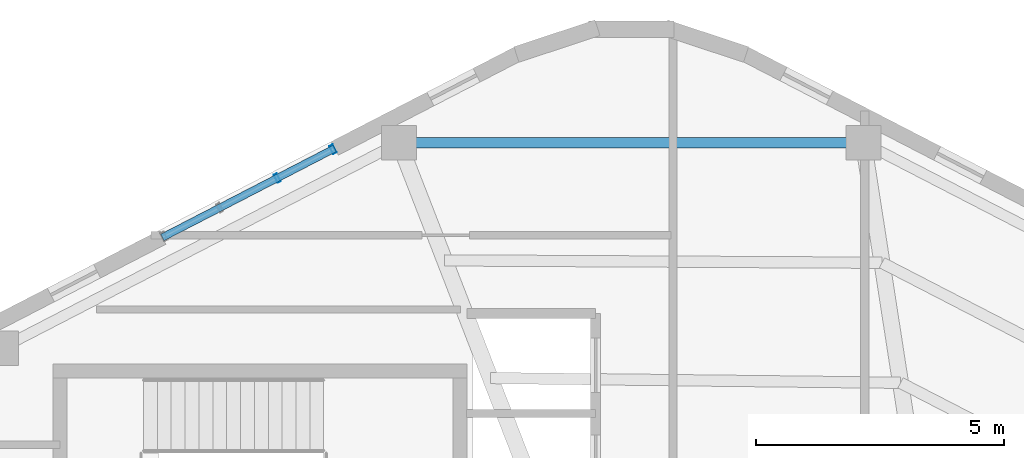
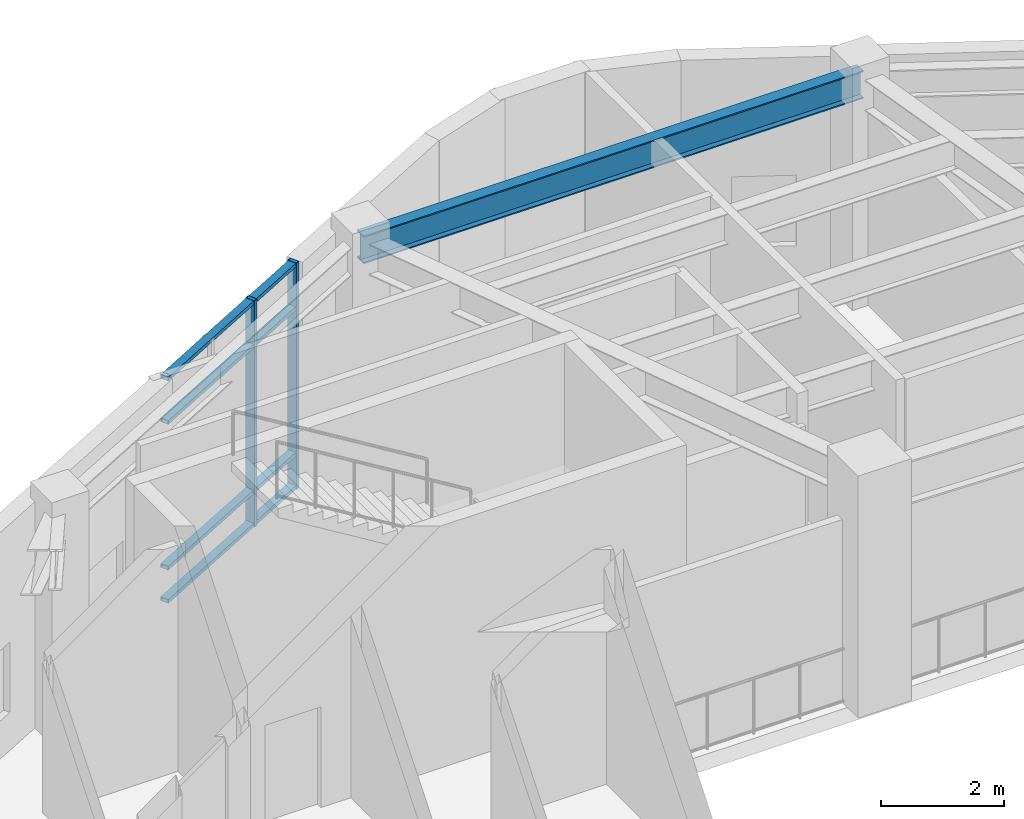
# One storey, part 12 of 18: 6 members, 1 beam, 1 element without a shape of its own.
"""IFC4 building model written with IfcOpenShell, lengths in metres."""

import ifcopenshell
import ifcopenshell.guid

model = None  # the IFC model being written
_history = None  # IfcOwnerHistory: only IFC2X3 demands one
_inside = {}  # id of a spatial element -> (the spatial element, [elements in it])
_under = {}  # id of a project, library or spatial element -> (it, [spatial elements below it])
_declared = {}  # id of a project -> (the project, [libraries it declares])
_typed = {}  # id of a type object -> (the type object, [elements of that type])
_made_of = {}  # id of a material, layer set ... -> (it, [elements and type objects made of it])


def new_model(schema):
    """Start an empty IFC model of exactly this schema.

    Asked for "IFC4X3", IfcOpenShell would pick the latest addendum, in which some entities
    have other attributes; the version numbers below select the first issue.
    IFC2X3 requires an IfcOwnerHistory on every rooted entity: one is made here for all.
    """
    global model, _history
    if schema == "IFC4X3":
        model = ifcopenshell.file(schema_version=(4, 3, 0, 0))
    else:
        model = ifcopenshell.file(schema=schema)
    _inside.clear()
    _under.clear()
    _declared.clear()
    _typed.clear()
    _made_of.clear()
    _history = None
    if model.schema == "IFC2X3":
        org = make("IfcOrganization", Name="unknown")
        user = make(
            "IfcPersonAndOrganization",
            ThePerson=make("IfcPerson", FamilyName="unknown"),
            TheOrganization=org,
        )
        app = make(
            "IfcApplication",
            ApplicationDeveloper=org,
            Version="unknown",
            ApplicationFullName="unknown",
            ApplicationIdentifier="unknown",
        )
        _history = make(
            "IfcOwnerHistory",
            OwningUser=user,
            OwningApplication=app,
            ChangeAction="ADDED",
            CreationDate=0,
        )
    return model


def make(cls, **values):
    """One entity of the class cls with the attributes given. An attribute that is None is left unset."""
    return model.create_entity(
        cls, **{name: value for name, value in values.items() if value is not None}
    )


def rooted(cls, **values):
    """An entity with a GlobalId (a new one), such as an element, a storey or a relation."""
    return make(cls, GlobalId=ifcopenshell.guid.new(), OwnerHistory=_history, **values)


def si_unit(unit_type, name, prefix=None):
    """IfcSIUnit, for example si_unit("LENGTHUNIT", "METRE", prefix="MILLI")."""
    return make("IfcSIUnit", UnitType=unit_type, Prefix=prefix, Name=name)


def assignment(units):
    """IfcUnitAssignment: the units of a project."""
    return None if units is None else make("IfcUnitAssignment", Units=units)


def point(xyz):
    """IfcCartesianPoint."""
    return None if xyz is None else make("IfcCartesianPoint", Coordinates=xyz)


def direction(xyz):
    """IfcDirection."""
    return None if xyz is None else make("IfcDirection", DirectionRatios=xyz)


def frame(location, z_axis=None, x_axis=None):
    """IfcAxis2Placement3D, a coordinate frame: its origin and axes. An axis left out is left unset."""
    return make(
        "IfcAxis2Placement3D",
        Location=point(location),
        Axis=direction(z_axis),
        RefDirection=direction(x_axis),
    )


def frame_2d(location, x_axis=None):
    """IfcAxis2Placement2D, a coordinate frame in the plane: its origin and x axis."""
    return make(
        "IfcAxis2Placement2D", Location=point(location), RefDirection=direction(x_axis)
    )


def origin():
    """The frame at (0, 0, 0) with its axes left unset."""
    return frame((0.0, 0.0, 0.0))


def origin_2d():
    """The frame at (0, 0) in the plane with its x axis left unset."""
    return frame_2d((0.0, 0.0))


def place(relative_to, where):
    """IfcLocalPlacement: puts the frame where relative to a parent placement (None: the world)."""
    return make(
        "IfcLocalPlacement", PlacementRelTo=relative_to, RelativePlacement=where
    )


def context(
    kind, dimensions, precision=None, world=None, true_north=None, identifier=None
):
    """IfcGeometricRepresentationContext, for example the 3D "Model" context."""
    return make(
        "IfcGeometricRepresentationContext",
        ContextIdentifier=identifier,
        ContextType=kind,
        CoordinateSpaceDimension=dimensions,
        Precision=precision,
        WorldCoordinateSystem=world,
        TrueNorth=true_north,
    )


def subcontext(parent, identifier, kind, view, scale=None):
    """IfcGeometricRepresentationSubContext, for example "Body" below "Model"."""
    return make(
        "IfcGeometricRepresentationSubContext",
        ContextIdentifier=identifier,
        ContextType=kind,
        ParentContext=parent,
        TargetScale=scale,
        TargetView=view,
    )


def project(units=None, contexts=None):
    """IfcProject with its units and contexts."""
    return rooted(
        "IfcProject",
        Name="project",
        RepresentationContexts=contexts,
        UnitsInContext=assignment(units),
    )


def spatial(cls, under=None, at=None, **own):
    """A site, building, storey or space (cls), placed at a placement, below another one or the project."""
    s = rooted(cls, ObjectPlacement=at, **own)
    if under is not None:
        _under.setdefault(under.id(), (under, []))[1].append(s)
    return s


def profile(cls, at=None, kind="AREA", **sizes):
    """A parametric profile (cls). Its sizes go by their IFC names, for example OverallWidth=200.0."""
    return make(cls, ProfileType=kind, Position=at, **sizes)


def hollow_rectangle(**sizes):
    """IfcRectangleHollowProfileDef."""
    return profile("IfcRectangleHollowProfileDef", **sizes)


def i_section(**sizes):
    """IfcIShapeProfileDef."""
    return profile("IfcIShapeProfileDef", **sizes)


def extrude(swept, where, along, depth):
    """IfcExtrudedAreaSolid: the profile swept, set in the frame where, extruded along a direction by depth."""
    return make(
        "IfcExtrudedAreaSolid",
        SweptArea=swept,
        Position=where,
        ExtrudedDirection=direction(along),
        Depth=depth,
    )


def shape(context_of_items, identifier, shape_type, items):
    """IfcShapeRepresentation: the items that make up one representation, for example the "Body"."""
    return make(
        "IfcShapeRepresentation",
        ContextOfItems=context_of_items,
        RepresentationIdentifier=identifier,
        RepresentationType=shape_type,
        Items=items,
    )


def material(Name=None, Category=None):
    """IfcMaterial."""
    return make("IfcMaterial", Name=Name, Category=Category)


def layer(
    of_material, thickness, ventilated=None, Name=None, Category=None, Priority=None
):
    """IfcMaterialLayer: one layer of a wall or slab, of a material (None: an air gap)."""
    return make(
        "IfcMaterialLayer",
        Material=of_material,
        LayerThickness=thickness,
        IsVentilated=ventilated,
        Name=Name,
        Category=Category,
        Priority=Priority,
    )


def layer_set(layers, Name=None):
    """IfcMaterialLayerSet."""
    return make("IfcMaterialLayerSet", MaterialLayers=layers, LayerSetName=Name)


def material_profile(
    of_material, cross_section, Name=None, Category=None, Priority=None
):
    """IfcMaterialProfile: a cross section and its material."""
    return make(
        "IfcMaterialProfile",
        Name=Name,
        Material=of_material,
        Profile=cross_section,
        Priority=Priority,
        Category=Category,
    )


def profile_set(profiles, Name=None, composite=None):
    """IfcMaterialProfileSet."""
    return make(
        "IfcMaterialProfileSet",
        Name=Name,
        MaterialProfiles=profiles,
        CompositeProfile=composite,
    )


def made_of(thing, what):
    """Note that an element or type object is made of a material, layer set ...; save() writes the relation."""
    if what is not None:
        _made_of.setdefault(what.id(), (what, []))[1].append(thing)
    return thing


def type_object(cls, material=None, **own):
    """A type object (cls), such as IfcWallType, which elements share."""
    return made_of(rooted(cls, **own), material)


def element(
    cls,
    number,
    at=None,
    inside=None,
    cuts=None,
    type_object=None,
    material=None,
    context=None,
    identifier="Body",
    shape_type=None,
    held_by="IfcProductDefinitionShape",
    body=None,
    shapes=None,
    **own,
):
    """One element of the class cls, such as IfcWall. Its Tag is "e" and its number.

    at: its placement. inside: the storey or other place that contains it. cuts: it is an
    opening in that element (IfcRelVoidsElement). A single representation is given by context,
    identifier, shape_type and body (its items); several are given by shapes. held_by: the class
    of the entity that holds the representations. save() writes the other relations.
    """
    e = rooted(cls, Tag="e%d" % number, ObjectPlacement=at, **own)
    if body is not None:
        shapes = [shape(context, identifier, shape_type, body)]
    if shapes is not None:
        e.Representation = make(held_by, Representations=shapes)
    if inside is not None:
        _inside.setdefault(inside.id(), (inside, []))[1].append(e)
    if cuts is not None:
        rooted(
            "IfcRelVoidsElement", RelatingBuildingElement=cuts, RelatedOpeningElement=e
        )
    if type_object is not None:
        _typed.setdefault(type_object.id(), (type_object, []))[1].append(e)
    return made_of(e, material)


def aggregate(whole, parts):
    """IfcRelAggregates: a whole, such as a stair, and the parts it consists of."""
    return rooted("IfcRelAggregates", RelatingObject=whole, RelatedObjects=parts)


def save(model, path):
    """Write the relations noted so far, then the file.

    IfcRelAggregates (storeys below a building ...), IfcRelContainedInSpatialStructure (elements
    in a storey), IfcRelDefinesByType, IfcRelAssociatesMaterial and IfcRelDeclares: one each for
    every whole, place, type object, material and project.
    """
    for whole, parts in _under.values():
        aggregate(whole, parts)
    for where, things in _inside.values():
        rooted(
            "IfcRelContainedInSpatialStructure",
            RelatedElements=things,
            RelatingStructure=where,
        )
    for kind, things in _typed.values():
        rooted("IfcRelDefinesByType", RelatedObjects=things, RelatingType=kind)
    for what, things in _made_of.values():
        rooted("IfcRelAssociatesMaterial", RelatedObjects=things, RelatingMaterial=what)
    for by, libraries in _declared.values():
        rooted("IfcRelDeclares", RelatingContext=by, RelatedDefinitions=libraries)
    model.write(path)


model = new_model("IFC4")

# Units and contexts
model_context = context("Model", 3, precision=1e-05, world=origin(), true_north=direction((0.0, 1.0)))
body_context = subcontext(model_context, "Body", "Model", "MODEL_VIEW")
ifc_project = project(units=[si_unit("LENGTHUNIT", "METRE"), si_unit("AREAUNIT", "SQUARE_METRE"), si_unit("VOLUMEUNIT", "CUBIC_METRE"), si_unit("PLANEANGLEUNIT", "RADIAN"), si_unit("MASSUNIT", "GRAM", prefix="KILO"), si_unit("THERMODYNAMICTEMPERATUREUNIT", "KELVIN"), si_unit("POWERUNIT", "WATT")], contexts=[model_context])

# Site, building, storey
site_placement = place(None, origin())
site = spatial("IfcSite", under=ifc_project, at=site_placement, CompositionType="ELEMENT")
building_placement = place(site_placement, origin())
building = spatial("IfcBuilding", under=site, at=building_placement, Name="Skarre Station Tower", CompositionType="ELEMENT")
storey_placement = place(building_placement, frame((0.0, 0.0, 270.300048828125)))
storey = spatial("IfcBuildingStorey", under=building, at=storey_placement, Name="L74", CompositionType="ELEMENT", Elevation=270.300048828125)

# Curtain wall, members
ifc_material_1 = material(Name="Thermally Broken Bronze-Anodized Aluminium & Triple Low-E Glass", Category="aluminium")
ifc_layer = layer(ifc_material_1, 0.219970703125, Name="Thermally Broken Bronze-Anodized Aluminium & Triple Low-E Glass")
ifc_layer_set = layer_set([ifc_layer], Name="Thermally Broken Bronze-Anodized Aluminium & Triple Low-E Glass")
curtain_wall_type = type_object("IfcCurtainWallType", Name="Observation Deck Panorama Unitised Curtain Wall", PredefinedType="NOTDEFINED", material=ifc_layer_set)
curtain_wall_placement = place(storey_placement, origin())
curtain_wall = element("IfcCurtainWall", 1, at=curtain_wall_placement, inside=storey, type_object=curtain_wall_type, Name="L74 Facet 1 Observatory Curtain Wall", PredefinedType="NOTDEFINED")
ifc_material_2 = material(Name="Anodized Aluminium 6063-T6", Category="aluminium")
ifc_material_profile_1 = material_profile(ifc_material_2, hollow_rectangle(XDim=0.074951171875, YDim=0.14990234375, WallThickness=0.00390625, at=origin_2d()), Name="Anodized Aluminium 6063-T6")
ifc_profile_set_1 = profile_set([ifc_material_profile_1], Name="Anodized Aluminium 6063-T6")
member_type_1 = type_object("IfcMemberType", Name="Curtain-Wall Secondary Transom 150x75", PredefinedType="USERDEFINED", material=ifc_profile_set_1)
member_1_placement = place(storey_placement, frame((23.72900390625, 37.534912109375, 0.0400390625), z_axis=(0.888470771822, 0.458933206053, 0.0), x_axis=(0.0, 0.0, 1.0)))
member_1 = element("IfcMember", 2, at=member_1_placement, type_object=member_type_1, Name="L74 Facet 1 Observatory Curtain Wall Transom 1", ObjectType="TRANSOM", PredefinedType="USERDEFINED", context=body_context, shape_type="SweptSolid", body=[
    extrude(hollow_rectangle(XDim=0.074951171875, YDim=0.14990234375, WallThickness=0.00390625, at=origin_2d()), origin(), (0.0, 0.0, 1.0), 3.920166015625),
])
member_2_placement = place(storey_placement, frame((23.72900390625, 37.534912109375, 0.699951171875), z_axis=(0.888470771822, 0.458933206053, 0.0), x_axis=(0.0, 0.0, 1.0)))
member_2 = element("IfcMember", 3, at=member_2_placement, type_object=member_type_1, Name="L74 Facet 1 Observatory Curtain Wall Transom 2", ObjectType="TRANSOM", PredefinedType="USERDEFINED", context=body_context, shape_type="SweptSolid", body=[
    extrude(hollow_rectangle(XDim=0.074951171875, YDim=0.14990234375, WallThickness=0.00390625, at=origin_2d()), origin(), (0.0, 0.0, 1.0), 3.920166015625),
])
member_3_placement = place(storey_placement, frame((23.72900390625, 37.534912109375, 3.58984375), z_axis=(0.888470771822, 0.458933206053, 0.0), x_axis=(0.0, 0.0, 1.0)))
member_3 = element("IfcMember", 4, at=member_3_placement, type_object=member_type_1, Name="L74 Facet 1 Observatory Curtain Wall Transom 3", ObjectType="TRANSOM", PredefinedType="USERDEFINED", context=body_context, shape_type="SweptSolid", body=[
    extrude(hollow_rectangle(XDim=0.074951171875, YDim=0.14990234375, WallThickness=0.00390625, at=origin_2d()), origin(), (0.0, 0.0, 1.0), 3.920166015625),
])
member_4_placement = place(storey_placement, frame((23.72900390625, 37.534912109375, 4.449951171875), z_axis=(0.888470771822, 0.458933206053, 0.0), x_axis=(0.0, 0.0, 1.0)))
member_4 = element("IfcMember", 5, at=member_4_placement, type_object=member_type_1, Name="L74 Facet 1 Observatory Curtain Wall Transom 4", ObjectType="TRANSOM", PredefinedType="USERDEFINED", context=body_context, shape_type="SweptSolid", body=[
    extrude(hollow_rectangle(XDim=0.074951171875, YDim=0.14990234375, WallThickness=0.00390625, at=origin_2d()), origin(), (0.0, 0.0, 1.0), 3.920166015625),
])
ifc_material_profile_2 = material_profile(ifc_material_2, hollow_rectangle(XDim=0.074951171875, YDim=0.179931640625, WallThickness=0.00390625, at=origin_2d()), Name="Anodized Aluminium 6063-T6")
ifc_profile_set_2 = profile_set([ifc_material_profile_2], Name="Anodized Aluminium 6063-T6")
member_type_2 = type_object("IfcMemberType", Name="Curtain-Wall Unitised Tower Mullion 180x75", PredefinedType="MULLION", material=ifc_profile_set_2)
member_5_placement = place(storey_placement, frame((26.051025390625, 38.73388671875, 0.0), z_axis=(0.0, 0.0, 1.0), x_axis=(0.88848110948, 0.458913192332, 0.0)))
member_5 = element("IfcMember", 6, at=member_5_placement, type_object=member_type_2, Name="L74 Facet 1 Observatory Curtain Wall Mullion 3", PredefinedType="MULLION", context=body_context, shape_type="SweptSolid", body=[
    extrude(hollow_rectangle(XDim=0.074951171875, YDim=0.179931640625, WallThickness=0.00390625, at=origin_2d()), origin(), (0.0, 0.0, 1.0), 4.489990234375),
])
member_6_placement = place(storey_placement, frame((27.176025390625, 39.31591796875, 0.0), z_axis=(0.0, 0.0, 1.0), x_axis=(0.88848110948, 0.458913192332, 0.0)))
member_6 = element("IfcMember", 7, at=member_6_placement, type_object=member_type_2, Name="L74 Facet 1 Observatory Curtain Wall Mullion 4", PredefinedType="MULLION", context=body_context, shape_type="SweptSolid", body=[
    extrude(hollow_rectangle(XDim=0.074951171875, YDim=0.179931640625, WallThickness=0.00390625, at=origin_2d()), origin(), (0.0, 0.0, 1.0), 4.489990234375),
])
aggregate(curtain_wall, [member_5, member_6, member_1, member_2, member_3, member_4])

# Beam
ifc_material_3 = material(Name="Steel ASTM A992 Grade 50", Category="steel")
ifc_material_profile_3 = material_profile(ifc_material_3, i_section(OverallWidth=0.214111328125, OverallDepth=0.549072265625, WebThickness=0.014892578125, FlangeThickness=0.02392578125, at=origin_2d()), Name="Steel ASTM A992 Grade 50")
ifc_profile_set_3 = profile_set([ifc_material_profile_3], Name="Steel ASTM A992 Grade 50")
beam_type = type_object("IfcBeamType", Name="Steel Spandrel W21X93", PredefinedType="SPANDREL", material=ifc_profile_set_3)
beam_placement = place(storey_placement, frame((37.888916015625, 39.447021484375, 4.216064453125), z_axis=(-1.0, 0.0, 0.0), x_axis=(0.0, -1.0, 0.0)))
element("IfcBeam", 8, at=beam_placement, inside=storey, type_object=beam_type, Name="L74 Facet Spandrel Beam 2", PredefinedType="SPANDREL", context=body_context, shape_type="SweptSolid", body=[
    extrude(i_section(OverallWidth=0.214111328125, OverallDepth=0.549072265625, WebThickness=0.014892578125, FlangeThickness=0.02392578125, at=origin_2d()), origin(), (0.0, 0.0, 1.0), 9.3779296875),
])

save(model, "model.ifc")
